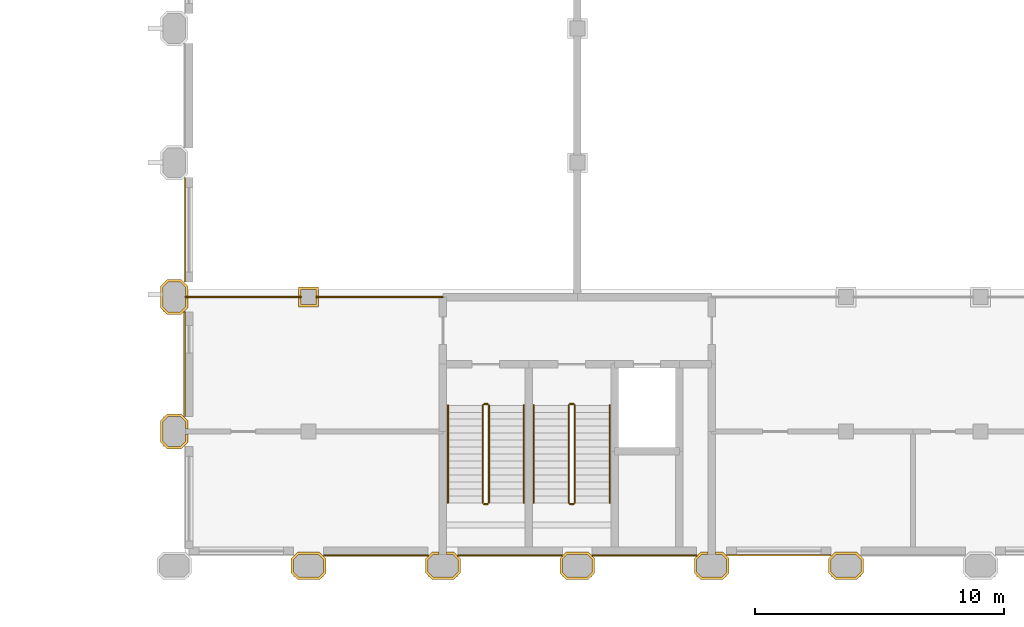
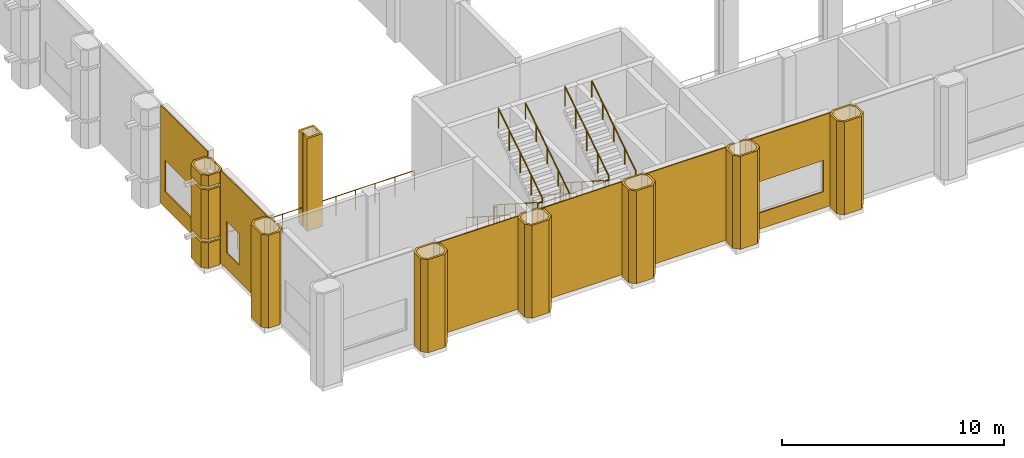
# One storey, part 23 of 27: 17 coverings, 14 railings.
"""IFC4 building model written with IfcOpenShell, lengths in metres."""

from ifc_helpers import new_model, si_unit, direction, frame, frame_2d, origin, origin_2d, place, context, subcontext, project, spatial, polyline, rectangle, circle, outline, extrude, material, layer, layer_set, type_object, element, save


model = new_model("IFC4")

# Units and contexts
model_context = context("Model", 3, precision=1e-05, world=origin(), true_north=direction((0.0, 1.0)))
body_context = subcontext(model_context, "Body", "Model", "MODEL_VIEW")
ifc_project = project(units=[si_unit("LENGTHUNIT", "METRE"), si_unit("AREAUNIT", "SQUARE_METRE"), si_unit("VOLUMEUNIT", "CUBIC_METRE"), si_unit("PLANEANGLEUNIT", "RADIAN"), si_unit("MASSUNIT", "GRAM", prefix="KILO")], contexts=[model_context])

# Site, building, storey
site_placement = place(None, origin())
site = spatial("IfcSite", under=ifc_project, at=site_placement, CompositionType="ELEMENT")
building_placement = place(site_placement, origin())
building = spatial("IfcBuilding", under=site, at=building_placement, Name="Tabaq Tower and Sports Hall", CompositionType="ELEMENT")
storey_placement = place(building_placement, frame((0.0, 0.0, 14.39990234375)))
storey = spatial("IfcBuildingStorey", under=building, at=storey_placement, Name="L02", CompositionType="ELEMENT", Elevation=14.39990234375)

# Coverings
ifc_material_1 = material(Name="Precast concrete C60/75", Category="concrete")
ifc_layer_1 = layer(ifc_material_1, 0.10009765625)
ifc_layer_set_1 = layer_set([ifc_layer_1], Name="Column cladding 100")
covering_type_1 = type_object("IfcCoveringType", Name="Column cladding 100", PredefinedType="CLADDING", material=ifc_layer_set_1)
covering_1_placement = place(storey_placement, origin())
element("IfcCovering", 1, at=covering_1_placement, inside=storey, type_object=covering_type_1, Name="Column cladding L02 HC-13B", PredefinedType="CLADDING", context=body_context, shape_type="SweptSolid", body=[
    extrude(outline(polyline([(64.5087890625, 4.7001953125), (64.250244140625, 4.958740234375), (64.250244140625, 5.84130859375), (64.5087890625, 6.099609375), (65.09130859375, 6.099609375), (65.349609375, 5.84130859375), (65.349609375, 5.500244140625), (65.250244140625, 5.500244140625), (65.250244140625, 5.800048828125), (65.050048828125, 6.000244140625), (64.5498046875, 6.000244140625), (64.349609375, 5.800048828125), (64.349609375, 4.999755859375), (64.5498046875, 4.7998046875), (65.050048828125, 4.7998046875), (65.250244140625, 4.999755859375), (65.250244140625, 5.2998046875), (65.349609375, 5.2998046875), (65.349609375, 4.958740234375), (65.09130859375, 4.7001953125), (64.5087890625, 4.7001953125)])), origin(), (0.0, 0.0, 1.0), 5.10009765625),
])
covering_2_placement = place(storey_placement, origin())
element("IfcCovering", 2, at=covering_2_placement, inside=storey, type_object=covering_type_1, Name="Column cladding L02 HC-13C", PredefinedType="CLADDING", context=body_context, shape_type="SweptSolid", body=[
    extrude(outline(polyline([(64.5087890625, 10.100341796875), (64.250244140625, 10.358642578125), (64.250244140625, 11.2412109375), (64.5087890625, 11.499755859375), (65.09130859375, 11.499755859375), (65.349609375, 11.2412109375), (65.349609375, 10.84033203125), (65.250244140625, 10.84033203125), (65.250244140625, 11.2001953125), (65.050048828125, 11.400390625), (64.5498046875, 11.400390625), (64.349609375, 11.2001953125), (64.349609375, 10.39990234375), (64.5498046875, 10.19970703125), (65.050048828125, 10.19970703125), (65.250244140625, 10.39990234375), (65.250244140625, 10.759765625), (65.349609375, 10.759765625), (65.349609375, 10.358642578125), (65.09130859375, 10.100341796875), (64.5087890625, 10.100341796875)])), origin(), (0.0, 0.0, 1.0), 1.400146484375),
])
covering_3_placement = place(storey_placement, frame((0.0, 0.0, 1.60009765625)))
element("IfcCovering", 3, at=covering_3_placement, inside=storey, type_object=covering_type_1, Name="Column cladding L02 HC-13C 2", PredefinedType="CLADDING", context=body_context, shape_type="SweptSolid", body=[
    extrude(outline(polyline([(64.5087890625, 10.100341796875), (64.250244140625, 10.358642578125), (64.250244140625, 11.2412109375), (64.5087890625, 11.499755859375), (65.09130859375, 11.499755859375), (65.349609375, 11.2412109375), (65.349609375, 10.84033203125), (65.250244140625, 10.84033203125), (65.250244140625, 11.2001953125), (65.050048828125, 11.400390625), (64.5498046875, 11.400390625), (64.349609375, 11.2001953125), (64.349609375, 10.39990234375), (64.5498046875, 10.19970703125), (65.050048828125, 10.19970703125), (65.250244140625, 10.39990234375), (65.250244140625, 10.759765625), (65.349609375, 10.759765625), (65.349609375, 10.358642578125), (65.09130859375, 10.100341796875), (64.5087890625, 10.100341796875)])), origin(), (0.0, 0.0, 1.0), 2.699951171875),
])
covering_4_placement = place(storey_placement, frame((0.0, 0.0, 4.5)))
element("IfcCovering", 4, at=covering_4_placement, inside=storey, type_object=covering_type_1, Name="Column cladding L02 HC-13C 3", PredefinedType="CLADDING", context=body_context, shape_type="SweptSolid", body=[
    extrude(outline(polyline([(64.5087890625, 10.100341796875), (64.250244140625, 10.358642578125), (64.250244140625, 11.2412109375), (64.5087890625, 11.499755859375), (65.09130859375, 11.499755859375), (65.349609375, 11.2412109375), (65.349609375, 10.84033203125), (65.250244140625, 10.84033203125), (65.250244140625, 11.2001953125), (65.050048828125, 11.400390625), (64.5498046875, 11.400390625), (64.349609375, 11.2001953125), (64.349609375, 10.39990234375), (64.5498046875, 10.19970703125), (65.050048828125, 10.19970703125), (65.250244140625, 10.39990234375), (65.250244140625, 10.759765625), (65.349609375, 10.759765625), (65.349609375, 10.358642578125), (65.09130859375, 10.100341796875), (64.5087890625, 10.100341796875)])), origin(), (0.0, 0.0, 1.0), 0.60009765625),
])
covering_5_placement = place(storey_placement, origin())
element("IfcCovering", 5, at=covering_5_placement, inside=storey, type_object=covering_type_1, Name="Column cladding L02 HC-14A", PredefinedType="CLADDING", context=body_context, shape_type="SweptSolid", body=[
    extrude(outline(polyline([(69.500244140625, -0.291259765625), (69.500244140625, 0.291259765625), (69.7587890625, 0.5498046875), (70.641357421875, 0.5498046875), (70.899658203125, 0.291259765625), (70.899658203125, -0.291259765625), (70.641357421875, -0.5498046875), (69.7587890625, -0.5498046875), (69.500244140625, -0.291259765625)]), holes=[polyline([(70.60009765625, -0.4501953125), (70.80029296875, -0.250244140625), (70.80029296875, 0.250244140625), (70.60009765625, 0.4501953125), (69.7998046875, 0.4501953125), (69.599609375, 0.250244140625), (69.599609375, -0.250244140625), (69.7998046875, -0.4501953125), (70.60009765625, -0.4501953125)])]), origin(), (0.0, 0.0, 1.0), 5.10009765625),
])
covering_6_placement = place(storey_placement, origin())
element("IfcCovering", 6, at=covering_6_placement, inside=storey, type_object=covering_type_1, Name="Column cladding L02 HC-14C", PredefinedType="CLADDING", context=body_context, shape_type="SweptSolid", body=[
    extrude(outline(polyline([(70.599609375, 11.19970703125), (70.599609375, 10.84033203125), (70.500244140625, 10.84033203125), (70.500244140625, 11.100341796875), (69.899658203125, 11.100341796875), (69.899658203125, 10.84033203125), (69.80029296875, 10.84033203125), (69.80029296875, 11.19970703125), (70.599609375, 11.19970703125)])), origin(), (0.0, 0.0, 1.0), 5.10009765625),
])
covering_7_placement = place(storey_placement, origin())
element("IfcCovering", 7, at=covering_7_placement, inside=storey, type_object=covering_type_1, Name="Column cladding L02 HC-14C 2", PredefinedType="CLADDING", context=body_context, shape_type="SweptSolid", body=[
    extrude(outline(polyline([(70.599609375, 10.400390625), (69.80029296875, 10.400390625), (69.80029296875, 10.759765625), (69.899658203125, 10.759765625), (69.899658203125, 10.499755859375), (70.500244140625, 10.499755859375), (70.500244140625, 10.759765625), (70.599609375, 10.759765625), (70.599609375, 10.400390625)])), origin(), (0.0, 0.0, 1.0), 5.10009765625),
])
covering_8_placement = place(storey_placement, origin())
element("IfcCovering", 8, at=covering_8_placement, inside=storey, type_object=covering_type_1, Name="Column cladding L02 HC-15A", PredefinedType="CLADDING", context=body_context, shape_type="SweptSolid", body=[
    extrude(outline(polyline([(74.900390625, 0.291259765625), (75.15869140625, 0.5498046875), (75.44970703125, 0.5498046875), (75.44970703125, 0.4501953125), (75.199951171875, 0.4501953125), (74.999755859375, 0.250244140625), (74.999755859375, -0.250244140625), (75.199951171875, -0.4501953125), (76.000244140625, -0.4501953125), (76.2001953125, -0.250244140625), (76.2001953125, 0.250244140625), (76.000244140625, 0.4501953125), (75.750244140625, 0.4501953125), (75.750244140625, 0.5498046875), (76.041259765625, 0.5498046875), (76.2998046875, 0.291259765625), (76.2998046875, -0.291259765625), (76.041259765625, -0.5498046875), (75.15869140625, -0.5498046875), (74.900390625, -0.291259765625), (74.900390625, 0.291259765625)])), origin(), (0.0, 0.0, 1.0), 5.10009765625),
])
covering_9_placement = place(storey_placement, origin())
element("IfcCovering", 9, at=covering_9_placement, inside=storey, type_object=covering_type_1, Name="Column cladding L02 HC-16A", PredefinedType="CLADDING", context=body_context, shape_type="SweptSolid", body=[
    extrude(outline(polyline([(80.30029296875, -0.291259765625), (80.30029296875, 0.291259765625), (80.55859375, 0.5498046875), (81.44140625, 0.5498046875), (81.69970703125, 0.291259765625), (81.69970703125, -0.291259765625), (81.44140625, -0.5498046875), (80.55859375, -0.5498046875), (80.30029296875, -0.291259765625)]), holes=[polyline([(81.400146484375, -0.4501953125), (81.600341796875, -0.250244140625), (81.600341796875, 0.250244140625), (81.400146484375, 0.4501953125), (80.599853515625, 0.4501953125), (80.399658203125, 0.250244140625), (80.399658203125, -0.250244140625), (80.599853515625, -0.4501953125), (81.400146484375, -0.4501953125)])]), origin(), (0.0, 0.0, 1.0), 5.10009765625),
])
covering_10_placement = place(storey_placement, origin())
element("IfcCovering", 10, at=covering_10_placement, inside=storey, type_object=covering_type_1, Name="Column cladding L02 HC-17A", PredefinedType="CLADDING", context=body_context, shape_type="SweptSolid", body=[
    extrude(outline(polyline([(85.7001953125, 0.291259765625), (85.958740234375, 0.5498046875), (86.249755859375, 0.5498046875), (86.249755859375, 0.4501953125), (85.999755859375, 0.4501953125), (85.7998046875, 0.250244140625), (85.7998046875, -0.250244140625), (85.999755859375, -0.4501953125), (86.800048828125, -0.4501953125), (87.000244140625, -0.250244140625), (87.000244140625, 0.250244140625), (86.800048828125, 0.4501953125), (86.55029296875, 0.4501953125), (86.55029296875, 0.5498046875), (86.84130859375, 0.5498046875), (87.099609375, 0.291259765625), (87.099609375, -0.291259765625), (86.84130859375, -0.5498046875), (85.958740234375, -0.5498046875), (85.7001953125, -0.291259765625), (85.7001953125, 0.291259765625)])), origin(), (0.0, 0.0, 1.0), 5.10009765625),
])
covering_11_placement = place(storey_placement, origin())
element("IfcCovering", 11, at=covering_11_placement, inside=storey, type_object=covering_type_1, Name="Column cladding L02 HC-18A", PredefinedType="CLADDING", context=body_context, shape_type="SweptSolid", body=[
    extrude(outline(polyline([(91.100341796875, -0.291259765625), (91.100341796875, 0.291259765625), (91.358642578125, 0.5498046875), (92.2412109375, 0.5498046875), (92.499755859375, 0.291259765625), (92.499755859375, -0.291259765625), (92.2412109375, -0.5498046875), (91.358642578125, -0.5498046875), (91.100341796875, -0.291259765625)]), holes=[polyline([(92.2001953125, -0.4501953125), (92.400390625, -0.250244140625), (92.400390625, 0.250244140625), (92.2001953125, 0.4501953125), (91.39990234375, 0.4501953125), (91.19970703125, 0.250244140625), (91.19970703125, -0.250244140625), (91.39990234375, -0.4501953125), (92.2001953125, -0.4501953125)])]), origin(), (0.0, 0.0, 1.0), 5.10009765625),
])

# Railings
ifc_material_2 = material(Name="Stainless steel and glass balustrade", Category="steel")
railing_type_1 = type_object("IfcRailingType", Name="HALL GUARD 1100", PredefinedType="GUARDRAIL", material=ifc_material_2)
railing_1_placement = place(storey_placement, frame((77.199951171875, 6.449951171875, 0.18017578125)))
element("IfcRailing", 12, at=railing_1_placement, inside=storey, type_object=railing_type_1, Name="L02 ST-H1 stair guard 1", PredefinedType="GUARDRAIL", context=body_context, shape_type="SweptSolid", body=[
    extrude(circle(Radius=0.02392578125, at=origin_2d()), frame((0.0, 0.0, 1.076171875), z_axis=(0.0, -0.841171666519, 0.540768182723), x_axis=(1.0, 0.0, 0.0)), (0.0, 0.0, 1.0), 4.66015625),
    extrude(circle(Radius=0.02099609375, at=origin_2d()), origin(), (0.0, 0.0, 1.0), 1.052001953125),
    extrude(circle(Radius=0.02099609375, at=origin_2d()), frame((0.0, -0.97998046875, 0.6298828125)), (0.0, 0.0, 1.0), 1.052001953125),
    extrude(circle(Radius=0.02099609375, at=origin_2d()), frame((0.0, -1.9599609375, 1.260009765625)), (0.0, 0.0, 1.0), 1.052001953125),
    extrude(circle(Radius=0.02099609375, at=origin_2d()), frame((0.0, -2.93994140625, 1.89013671875)), (0.0, 0.0, 1.0), 1.052001953125),
    extrude(circle(Radius=0.02099609375, at=origin_2d()), frame((0.0, -3.919921875, 2.52001953125)), (0.0, 0.0, 1.0), 1.052001953125),
])
railing_2_placement = place(storey_placement, frame((77.25, 2.47998046875, 2.7001953125)))
element("IfcRailing", 13, at=railing_2_placement, inside=storey, type_object=railing_type_1, Name="L02 ST-H1 stair guard 2", PredefinedType="GUARDRAIL", context=body_context, shape_type="SweptSolid", body=[
    extrude(circle(Radius=0.02392578125, at=origin_2d()), frame((0.0, 0.0, 1.076171875), z_axis=(1.0, 0.0, 0.0), x_axis=(0.0, 1.0, 0.0)), (0.0, 0.0, 1.0), 0.14990234375),
    extrude(circle(Radius=0.02099609375, at=origin_2d()), origin(), (0.0, 0.0, 1.0), 1.052001953125),
    extrude(circle(Radius=0.02099609375, at=origin_2d()), frame((0.14990234375, 0.0, 0.0)), (0.0, 0.0, 1.0), 1.052001953125),
])
railing_3_placement = place(storey_placement, frame((77.449951171875, 2.530029296875, 2.880126953125)))
element("IfcRailing", 14, at=railing_3_placement, inside=storey, type_object=railing_type_1, Name="L02 ST-H1 stair guard 3", PredefinedType="GUARDRAIL", context=body_context, shape_type="SweptSolid", body=[
    extrude(circle(Radius=0.02392578125, at=origin_2d()), frame((0.0, 0.0, 1.076171875), z_axis=(0.0, 0.841171666519, 0.540768182723), x_axis=(-1.0, 0.0, 0.0)), (0.0, 0.0, 1.0), 4.66015625),
    extrude(circle(Radius=0.02099609375, at=origin_2d()), origin(), (0.0, 0.0, 1.0), 1.052001953125),
    extrude(circle(Radius=0.02099609375, at=origin_2d()), frame((0.0, 0.97998046875, 0.6298828125)), (0.0, 0.0, 1.0), 1.052001953125),
    extrude(circle(Radius=0.02099609375, at=origin_2d()), frame((0.0, 1.9599609375, 1.260009765625)), (0.0, 0.0, 1.0), 1.052001953125),
    extrude(circle(Radius=0.02099609375, at=origin_2d()), frame((0.0, 2.93994140625, 1.89013671875)), (0.0, 0.0, 1.0), 1.052001953125),
    extrude(circle(Radius=0.02099609375, at=origin_2d()), frame((0.0, 3.919921875, 2.52001953125)), (0.0, 0.0, 1.0), 1.052001953125),
])
railing_4_placement = place(storey_placement, frame((77.25, 6.5, 0.0)))
element("IfcRailing", 15, at=railing_4_placement, inside=storey, type_object=railing_type_1, Name="L02 ST-H1 stair guard 4", PredefinedType="GUARDRAIL", context=body_context, shape_type="SweptSolid", body=[
    extrude(circle(Radius=0.02392578125, at=origin_2d()), frame((0.0, 0.0, 1.076171875), z_axis=(1.0, 0.0, 0.0), x_axis=(0.0, 1.0, 0.0)), (0.0, 0.0, 1.0), 0.14990234375),
    extrude(circle(Radius=0.02099609375, at=origin_2d()), origin(), (0.0, 0.0, 1.0), 1.052001953125),
    extrude(circle(Radius=0.02099609375, at=origin_2d()), frame((0.14990234375, 0.0, 0.0)), (0.0, 0.0, 1.0), 1.052001953125),
])
railing_5_placement = place(storey_placement, frame((80.64990234375, 6.449951171875, 0.18017578125)))
element("IfcRailing", 16, at=railing_5_placement, inside=storey, type_object=railing_type_1, Name="L02 ST-H2 stair guard 1", PredefinedType="GUARDRAIL", context=body_context, shape_type="SweptSolid", body=[
    extrude(circle(Radius=0.02392578125, at=origin_2d()), frame((0.0, 0.0, 1.076171875), z_axis=(0.0, -0.841171666519, 0.540768182723), x_axis=(1.0, 0.0, 0.0)), (0.0, 0.0, 1.0), 4.66015625),
    extrude(circle(Radius=0.02099609375, at=origin_2d()), origin(), (0.0, 0.0, 1.0), 1.052001953125),
    extrude(circle(Radius=0.02099609375, at=origin_2d()), frame((0.0, -0.97998046875, 0.6298828125)), (0.0, 0.0, 1.0), 1.052001953125),
    extrude(circle(Radius=0.02099609375, at=origin_2d()), frame((0.0, -1.9599609375, 1.260009765625)), (0.0, 0.0, 1.0), 1.052001953125),
    extrude(circle(Radius=0.02099609375, at=origin_2d()), frame((0.0, -2.93994140625, 1.89013671875)), (0.0, 0.0, 1.0), 1.052001953125),
    extrude(circle(Radius=0.02099609375, at=origin_2d()), frame((0.0, -3.919921875, 2.52001953125)), (0.0, 0.0, 1.0), 1.052001953125),
])
railing_6_placement = place(storey_placement, frame((80.699951171875, 2.47998046875, 2.7001953125)))
element("IfcRailing", 17, at=railing_6_placement, inside=storey, type_object=railing_type_1, Name="L02 ST-H2 stair guard 2", PredefinedType="GUARDRAIL", context=body_context, shape_type="SweptSolid", body=[
    extrude(circle(Radius=0.02392578125, at=origin_2d()), frame((0.0, 0.0, 1.076171875), z_axis=(1.0, 0.0, 0.0), x_axis=(0.0, 1.0, 0.0)), (0.0, 0.0, 1.0), 0.150146484375),
    extrude(circle(Radius=0.02099609375, at=origin_2d()), origin(), (0.0, 0.0, 1.0), 1.052001953125),
    extrude(circle(Radius=0.02099609375, at=origin_2d()), frame((0.150146484375, 0.0, 0.0)), (0.0, 0.0, 1.0), 1.052001953125),
])
railing_7_placement = place(storey_placement, frame((80.89990234375, 2.530029296875, 2.880126953125)))
element("IfcRailing", 18, at=railing_7_placement, inside=storey, type_object=railing_type_1, Name="L02 ST-H2 stair guard 3", PredefinedType="GUARDRAIL", context=body_context, shape_type="SweptSolid", body=[
    extrude(circle(Radius=0.02392578125, at=origin_2d()), frame((0.0, 0.0, 1.076171875), z_axis=(0.0, 0.841171666519, 0.540768182723), x_axis=(-1.0, 0.0, 0.0)), (0.0, 0.0, 1.0), 4.66015625),
    extrude(circle(Radius=0.02099609375, at=origin_2d()), origin(), (0.0, 0.0, 1.0), 1.052001953125),
    extrude(circle(Radius=0.02099609375, at=origin_2d()), frame((0.0, 0.97998046875, 0.6298828125)), (0.0, 0.0, 1.0), 1.052001953125),
    extrude(circle(Radius=0.02099609375, at=origin_2d()), frame((0.0, 1.9599609375, 1.260009765625)), (0.0, 0.0, 1.0), 1.052001953125),
    extrude(circle(Radius=0.02099609375, at=origin_2d()), frame((0.0, 2.93994140625, 1.89013671875)), (0.0, 0.0, 1.0), 1.052001953125),
    extrude(circle(Radius=0.02099609375, at=origin_2d()), frame((0.0, 3.919921875, 2.52001953125)), (0.0, 0.0, 1.0), 1.052001953125),
])
railing_8_placement = place(storey_placement, frame((80.699951171875, 6.5, 0.0)))
element("IfcRailing", 19, at=railing_8_placement, inside=storey, type_object=railing_type_1, Name="L02 ST-H2 stair guard 4", PredefinedType="GUARDRAIL", context=body_context, shape_type="SweptSolid", body=[
    extrude(circle(Radius=0.02392578125, at=origin_2d()), frame((0.0, 0.0, 1.076171875), z_axis=(1.0, 0.0, 0.0), x_axis=(0.0, 1.0, 0.0)), (0.0, 0.0, 1.0), 0.150146484375),
    extrude(circle(Radius=0.02099609375, at=origin_2d()), origin(), (0.0, 0.0, 1.0), 1.052001953125),
    extrude(circle(Radius=0.02099609375, at=origin_2d()), frame((0.150146484375, 0.0, 0.0)), (0.0, 0.0, 1.0), 1.052001953125),
])
railing_9_placement = place(storey_placement, frame((65.25, 10.800048828125, 0.0)))
element("IfcRailing", 20, at=railing_9_placement, inside=storey, type_object=railing_type_1, Name="L02 gallery guard", PredefinedType="GUARDRAIL", context=body_context, shape_type="SweptSolid", body=[
    extrude(circle(Radius=0.02392578125, at=origin_2d()), frame((0.0, 0.0, 1.076171875), z_axis=(1.0, 0.0, 0.0), x_axis=(0.0, 1.0, 0.0)), (0.0, 0.0, 1.0), 4.64990234375),
    extrude(circle(Radius=0.02099609375, at=origin_2d()), origin(), (0.0, 0.0, 1.0), 1.052001953125),
    extrude(circle(Radius=0.02099609375, at=origin_2d()), frame((1.16259765625, 0.0, 0.0)), (0.0, 0.0, 1.0), 1.052001953125),
    extrude(circle(Radius=0.02099609375, at=origin_2d()), frame((2.324951171875, 0.0, 0.0)), (0.0, 0.0, 1.0), 1.052001953125),
    extrude(circle(Radius=0.02099609375, at=origin_2d()), frame((3.4873046875, 0.0, 0.0)), (0.0, 0.0, 1.0), 1.052001953125),
    extrude(circle(Radius=0.02099609375, at=origin_2d()), frame((4.64990234375, 0.0, 0.0)), (0.0, 0.0, 1.0), 1.052001953125),
])
railing_10_placement = place(storey_placement, frame((70.5, 10.800048828125, 0.0)))
element("IfcRailing", 21, at=railing_10_placement, inside=storey, type_object=railing_type_1, Name="L02 gallery guard", PredefinedType="GUARDRAIL", context=body_context, shape_type="SweptSolid", body=[
    extrude(circle(Radius=0.02392578125, at=origin_2d()), frame((0.0, 0.0, 1.076171875), z_axis=(1.0, 0.0, 0.0), x_axis=(0.0, 1.0, 0.0)), (0.0, 0.0, 1.0), 5.10009765625),
    extrude(circle(Radius=0.02099609375, at=origin_2d()), origin(), (0.0, 0.0, 1.0), 1.052001953125),
    extrude(circle(Radius=0.02099609375, at=origin_2d()), frame((1.02001953125, 0.0, 0.0)), (0.0, 0.0, 1.0), 1.052001953125),
    extrude(circle(Radius=0.02099609375, at=origin_2d()), frame((2.0400390625, 0.0, 0.0)), (0.0, 0.0, 1.0), 1.052001953125),
    extrude(circle(Radius=0.02099609375, at=origin_2d()), frame((3.06005859375, 0.0, 0.0)), (0.0, 0.0, 1.0), 1.052001953125),
    extrude(circle(Radius=0.02099609375, at=origin_2d()), frame((4.080078125, 0.0, 0.0)), (0.0, 0.0, 1.0), 1.052001953125),
    extrude(circle(Radius=0.02099609375, at=origin_2d()), frame((5.10009765625, 0.0, 0.0)), (0.0, 0.0, 1.0), 1.052001953125),
])
ifc_material_3 = material(Name="Stainless steel handrail", Category="steel")
railing_type_2 = type_object("IfcRailingType", Name="HALL HANDRAIL 900", PredefinedType="HANDRAIL", material=ifc_material_3)
railing_11_placement = place(storey_placement, frame((75.800048828125, 6.449951171875, 0.18017578125)))
element("IfcRailing", 22, at=railing_11_placement, inside=storey, type_object=railing_type_2, Name="L02 ST-H1 stair handrail 1", PredefinedType="HANDRAIL", context=body_context, shape_type="SweptSolid", body=[
    extrude(circle(Radius=0.02392578125, at=origin_2d()), frame((0.0, 0.0, 0.8759765625), z_axis=(0.0, -0.841171666519, 0.540768182723), x_axis=(1.0, 0.0, 0.0)), (0.0, 0.0, 1.0), 4.66015625),
    extrude(circle(Radius=0.02099609375, at=origin_2d()), origin(), (0.0, 0.0, 1.0), 0.851806640625),
    extrude(circle(Radius=0.02099609375, at=origin_2d()), frame((0.0, -0.97998046875, 0.6298828125)), (0.0, 0.0, 1.0), 0.851806640625),
    extrude(circle(Radius=0.02099609375, at=origin_2d()), frame((0.0, -1.9599609375, 1.260009765625)), (0.0, 0.0, 1.0), 0.851806640625),
    extrude(circle(Radius=0.02099609375, at=origin_2d()), frame((0.0, -2.93994140625, 1.89013671875)), (0.0, 0.0, 1.0), 0.851806640625),
    extrude(circle(Radius=0.02099609375, at=origin_2d()), frame((0.0, -3.919921875, 2.52001953125)), (0.0, 0.0, 1.0), 0.851806640625),
])
railing_12_placement = place(storey_placement, frame((78.85009765625, 2.530029296875, 2.880126953125)))
element("IfcRailing", 23, at=railing_12_placement, inside=storey, type_object=railing_type_2, Name="L02 ST-H1 stair handrail 2", PredefinedType="HANDRAIL", context=body_context, shape_type="SweptSolid", body=[
    extrude(circle(Radius=0.02392578125, at=origin_2d()), frame((0.0, 0.0, 0.8759765625), z_axis=(0.0, 0.841171666519, 0.540768182723), x_axis=(-1.0, 0.0, 0.0)), (0.0, 0.0, 1.0), 4.66015625),
    extrude(circle(Radius=0.02099609375, at=origin_2d()), origin(), (0.0, 0.0, 1.0), 0.851806640625),
    extrude(circle(Radius=0.02099609375, at=origin_2d()), frame((0.0, 0.97998046875, 0.6298828125)), (0.0, 0.0, 1.0), 0.851806640625),
    extrude(circle(Radius=0.02099609375, at=origin_2d()), frame((0.0, 1.9599609375, 1.260009765625)), (0.0, 0.0, 1.0), 0.851806640625),
    extrude(circle(Radius=0.02099609375, at=origin_2d()), frame((0.0, 2.93994140625, 1.89013671875)), (0.0, 0.0, 1.0), 0.851806640625),
    extrude(circle(Radius=0.02099609375, at=origin_2d()), frame((0.0, 3.919921875, 2.52001953125)), (0.0, 0.0, 1.0), 0.851806640625),
])
railing_13_placement = place(storey_placement, frame((79.25, 6.449951171875, 0.18017578125)))
element("IfcRailing", 24, at=railing_13_placement, inside=storey, type_object=railing_type_2, Name="L02 ST-H2 stair handrail 1", PredefinedType="HANDRAIL", context=body_context, shape_type="SweptSolid", body=[
    extrude(circle(Radius=0.02392578125, at=origin_2d()), frame((0.0, 0.0, 0.8759765625), z_axis=(0.0, -0.841171666519, 0.540768182723), x_axis=(1.0, 0.0, 0.0)), (0.0, 0.0, 1.0), 4.66015625),
    extrude(circle(Radius=0.02099609375, at=origin_2d()), origin(), (0.0, 0.0, 1.0), 0.851806640625),
    extrude(circle(Radius=0.02099609375, at=origin_2d()), frame((0.0, -0.97998046875, 0.6298828125)), (0.0, 0.0, 1.0), 0.851806640625),
    extrude(circle(Radius=0.02099609375, at=origin_2d()), frame((0.0, -1.9599609375, 1.260009765625)), (0.0, 0.0, 1.0), 0.851806640625),
    extrude(circle(Radius=0.02099609375, at=origin_2d()), frame((0.0, -2.93994140625, 1.89013671875)), (0.0, 0.0, 1.0), 0.851806640625),
    extrude(circle(Radius=0.02099609375, at=origin_2d()), frame((0.0, -3.919921875, 2.52001953125)), (0.0, 0.0, 1.0), 0.851806640625),
])
railing_14_placement = place(storey_placement, frame((82.300048828125, 2.530029296875, 2.880126953125)))
element("IfcRailing", 25, at=railing_14_placement, inside=storey, type_object=railing_type_2, Name="L02 ST-H2 stair handrail 2", PredefinedType="HANDRAIL", context=body_context, shape_type="SweptSolid", body=[
    extrude(circle(Radius=0.02392578125, at=origin_2d()), frame((0.0, 0.0, 0.8759765625), z_axis=(0.0, 0.841171666519, 0.540768182723), x_axis=(-1.0, 0.0, 0.0)), (0.0, 0.0, 1.0), 4.66015625),
    extrude(circle(Radius=0.02099609375, at=origin_2d()), origin(), (0.0, 0.0, 1.0), 0.851806640625),
    extrude(circle(Radius=0.02099609375, at=origin_2d()), frame((0.0, 0.97998046875, 0.6298828125)), (0.0, 0.0, 1.0), 0.851806640625),
    extrude(circle(Radius=0.02099609375, at=origin_2d()), frame((0.0, 1.9599609375, 1.260009765625)), (0.0, 0.0, 1.0), 0.851806640625),
    extrude(circle(Radius=0.02099609375, at=origin_2d()), frame((0.0, 2.93994140625, 1.89013671875)), (0.0, 0.0, 1.0), 0.851806640625),
    extrude(circle(Radius=0.02099609375, at=origin_2d()), frame((0.0, 3.919921875, 2.52001953125)), (0.0, 0.0, 1.0), 0.851806640625),
])

# Coverings
ifc_material_4 = material(Name="Precast concrete C60/75", Category="concrete")
ifc_layer_2 = layer(ifc_material_4, 0.06005859375)
ifc_layer_set_2 = layer_set([ifc_layer_2], Name="White precast cladding panel 60 C60/75")
covering_type_2 = type_object("IfcCoveringType", Name="White precast cladding panel 60 C60/75", PredefinedType="CLADDING", material=ifc_layer_set_2)
for number, where, z_axis, x_axis, name in (
    (26, (70.800048828125, 0.419921875, 0.0), (0.0, 0.0, 1.0), (1.0, 0.0, 0.0), "White precast cladding panel L02 L02"),
    (27, (76.199951171875, 0.419921875, 0.0), (0.0, 0.0, 1.0), (1.0, 0.0, 0.0), "White precast cladding panel L02 L02"),
    (28, (81.60009765625, 0.419921875, 0.0), (0.0, 0.0, 1.0), (1.0, 0.0, 0.0), "White precast cladding panel L02 L02"),
):
    element("IfcCovering", number, at=place(storey_placement, frame(where, z_axis=z_axis, x_axis=x_axis)), inside=storey, type_object=covering_type_2, Name=name, PredefinedType="CLADDING", context=body_context, shape_type="SweptSolid", body=[
        extrude(rectangle(XDim=4.199951171875, YDim=0.06005859375, at=frame_2d((2.10009765625, 0.0))), origin(), (0.0, 0.0, 1.0), 5.10009765625),
    ])
covering_12_placement = place(storey_placement, frame((87.0, 0.419921875, 0.0), z_axis=(0.0, 0.0, 1.0), x_axis=(1.0, 0.0, 0.0)))
element("IfcCovering", 29, at=covering_12_placement, inside=storey, type_object=covering_type_2, Name="White precast cladding panel L02 L02", PredefinedType="CLADDING", context=body_context, shape_type="SweptSolid", body=[
    extrude(outline(polyline([(0.0, 0.0), (4.199951171875, 0.0), (4.199951171875, 5.10009765625), (0.0, 5.10009765625), (0.0, 0.0)]), holes=[polyline([(0.389892578125, 0.89013671875), (0.389892578125, 2.610107421875), (3.81005859375, 2.610107421875), (3.81005859375, 0.89013671875), (0.389892578125, 0.89013671875)])]), frame((0.0, 0.030029296875, 0.0), z_axis=(0.0, -1.0, 0.0), x_axis=(1.0, 0.0, 0.0)), (0.0, 0.0, 1.0), 0.06005859375),
])
covering_13_placement = place(storey_placement, frame((65.219970703125, 6.0, 0.0), z_axis=(0.0, 0.0, 1.0), x_axis=(0.0, 1.0, 0.0)))
element("IfcCovering", 30, at=covering_13_placement, inside=storey, type_object=covering_type_2, Name="White precast cladding panel L02 L02", PredefinedType="CLADDING", context=body_context, shape_type="SweptSolid", body=[
    extrude(outline(polyline([(0.0, 0.0), (4.199951171875, 0.0), (4.199951171875, 5.10009765625), (0.0, 5.10009765625), (0.0, 0.0)]), holes=[polyline([(2.5400390625, 0.89013671875), (2.5400390625, 2.610107421875), (3.659912109375, 2.610107421875), (3.659912109375, 0.89013671875), (2.5400390625, 0.89013671875)])]), frame((0.0, 0.030029296875, 0.0), z_axis=(0.0, -1.0, 0.0), x_axis=(1.0, 0.0, 0.0)), (0.0, 0.0, 1.0), 0.06005859375),
])
covering_14_placement = place(storey_placement, frame((65.219970703125, 11.39990234375, 0.0), z_axis=(0.0, 0.0, 1.0), x_axis=(0.0, 1.0, 0.0)))
element("IfcCovering", 31, at=covering_14_placement, inside=storey, type_object=covering_type_2, Name="White precast cladding panel L02 L02", PredefinedType="CLADDING", context=body_context, shape_type="SweptSolid", body=[
    extrude(outline(polyline([(0.0, 0.0), (4.2001953125, 0.0), (4.2001953125, 5.400146484375), (0.0, 5.400146484375), (0.0, 0.0)]), holes=[polyline([(0.389892578125, 0.89013671875), (0.389892578125, 2.610107421875), (3.81005859375, 2.610107421875), (3.81005859375, 0.89013671875), (0.389892578125, 0.89013671875)])]), frame((0.0, 0.030029296875, 0.0), z_axis=(0.0, -1.0, 0.0), x_axis=(1.0, 0.0, 0.0)), (0.0, 0.0, 1.0), 0.06005859375),
])

save(model, "model.ifc")
